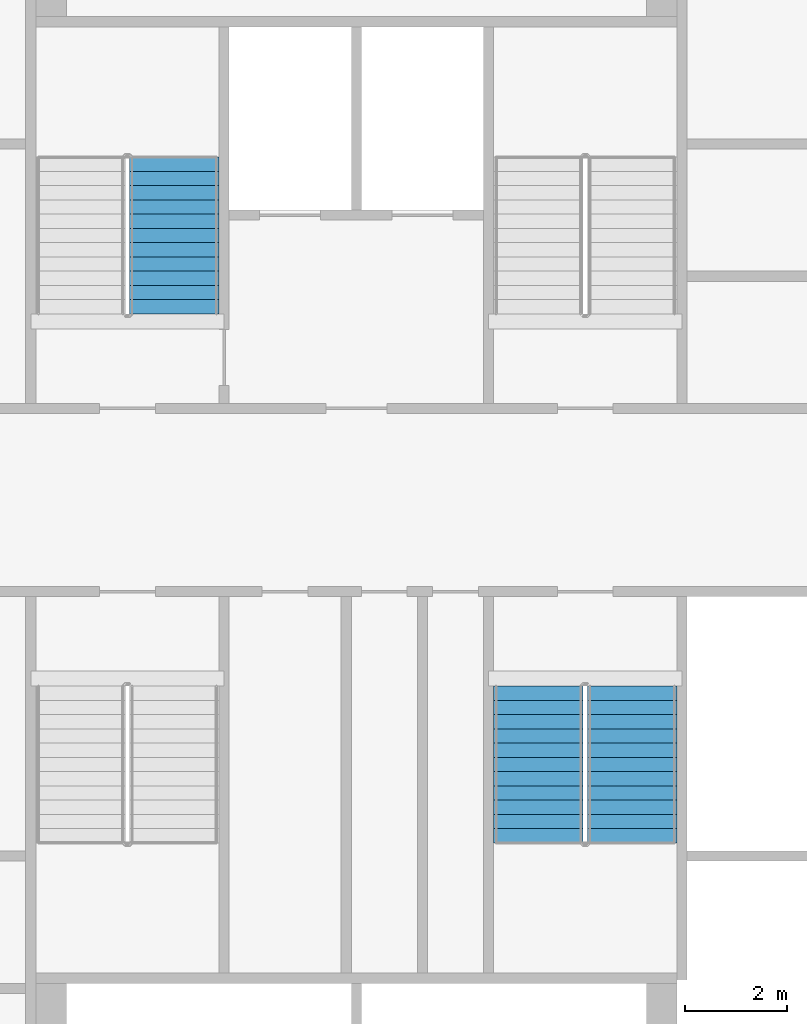
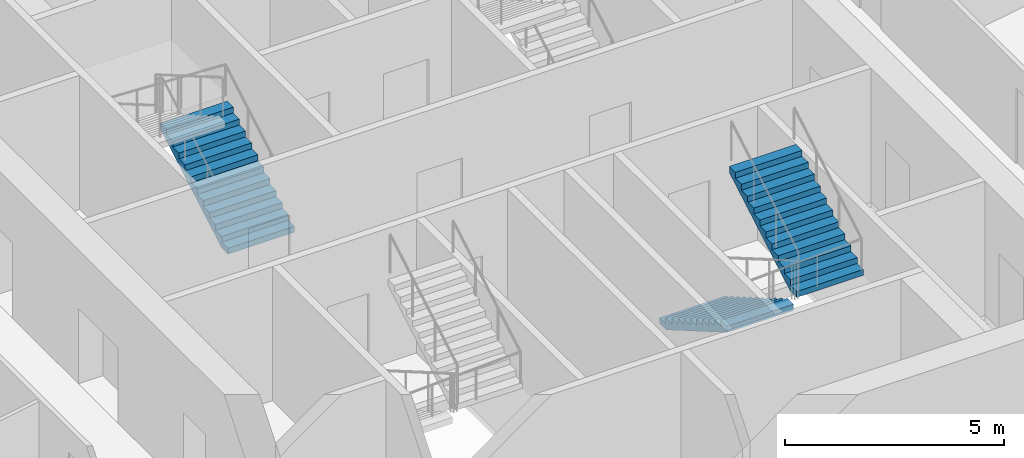
# One storey, part 9 of 15: 3 stair flights, 2 elements without a shape of their own.
"""IFC4 building model written with IfcOpenShell, lengths in metres."""

from ifc_helpers import new_model, si_unit, direction, frame, origin, place, context, subcontext, project, spatial, faceted_brep, material, type_object, element, aggregate, save


model = new_model("IFC4")

# Units and contexts
model_context = context("Model", 3, precision=1e-05, world=origin(), true_north=direction((0.0, 1.0)))
body_context = subcontext(model_context, "Body", "Model", "MODEL_VIEW")
ifc_project = project(units=[si_unit("LENGTHUNIT", "METRE"), si_unit("AREAUNIT", "SQUARE_METRE"), si_unit("VOLUMEUNIT", "CUBIC_METRE"), si_unit("PLANEANGLEUNIT", "RADIAN"), si_unit("MASSUNIT", "GRAM", prefix="KILO")], contexts=[model_context])

# Site, building, storey
site_placement = place(None, origin())
site = spatial("IfcSite", under=ifc_project, at=site_placement, CompositionType="ELEMENT")
building_placement = place(site_placement, origin())
building = spatial("IfcBuilding", under=site, at=building_placement, Name="Tarsis Ring Headquarters", CompositionType="ELEMENT")
storey_placement = place(building_placement, frame((0.0, 0.0, 174.89990234375)))
storey = spatial("IfcBuildingStorey", under=building, at=storey_placement, Name="L40", CompositionType="ELEMENT", Elevation=174.89990234375)

# Stair, stair flight
ifc_material_1 = material(Name="Core stair 1760")
stair_type = type_object("IfcStairType", Name="Core stair 1760", PredefinedType="HALF_TURN_STAIR", material=ifc_material_1)
stair_1_placement = place(storey_placement, origin())
stair_1 = element("IfcStair", 1, at=stair_1_placement, inside=storey, type_object=stair_type, Name="L40 Firefighting stair", PredefinedType="HALF_TURN_STAIR")
ifc_material_2 = material(Name="Concrete C40/50", Category="concrete")
stair_flight_type = type_object("IfcStairFlightType", Name="Core stair flight 1760", PredefinedType="STRAIGHT", material=ifc_material_2)
stair_flight_1_placement = place(storey_placement, frame((-3.580078125, 3.659912109375, 0.0), z_axis=(0.0, 0.0, 1.0), x_axis=(0.0, 1.0, 0.0)))
stair_flight_1 = element("IfcStairFlight", 2, at=stair_flight_1_placement, type_object=stair_flight_type, Name="Stair ST1 flight 1", NumberOfRisers=12, NumberOfTreads=11, PredefinedType="STRAIGHT", RiserHeight=0.1625, TreadLength=0.28, context=body_context, shape_type="Brep", body=[
    faceted_brep([(0.0, 0.8798828125, 0.0), (0.0, 0.8798828125, 0.16259765625), (0.280029296875, 0.8798828125, 0.16259765625), (0.280029296875, 0.8798828125, 0.324951171875), (0.56005859375, 0.8798828125, 0.324951171875), (0.56005859375, 0.8798828125, 0.487548828125), (0.840087890625, 0.8798828125, 0.487548828125), (0.840087890625, 0.8798828125, 0.64990234375), (1.1201171875, 0.8798828125, 0.64990234375), (1.1201171875, 0.8798828125, 0.8125), (1.39990234375, 0.8798828125, 0.8125), (1.39990234375, 0.8798828125, 0.97509765625), (1.679931640625, 0.8798828125, 0.97509765625), (1.679931640625, 0.8798828125, 1.137451171875), (1.9599609375, 0.8798828125, 1.137451171875), (1.9599609375, 0.8798828125, 1.300048828125), (2.239990234375, 0.8798828125, 1.300048828125), (2.239990234375, 0.8798828125, 1.46240234375), (2.52001953125, 0.8798828125, 1.46240234375), (2.52001953125, 0.8798828125, 1.625), (2.800048828125, 0.8798828125, 1.625), (2.800048828125, 0.8798828125, 1.78759765625), (3.080078125, 0.8798828125, 1.78759765625), (3.080078125, 0.8798828125, 1.6142578125), (0.298583984375, 0.8798828125, 0.0), (0.298583984375, -0.8798828125, 0.0), (3.080078125, -0.8798828125, 1.6142578125), (3.080078125, -0.8798828125, 1.78759765625), (2.800048828125, -0.8798828125, 1.78759765625), (2.800048828125, -0.8798828125, 1.625), (2.52001953125, -0.8798828125, 1.625), (2.52001953125, -0.8798828125, 1.46240234375), (2.239990234375, -0.8798828125, 1.46240234375), (2.239990234375, -0.8798828125, 1.300048828125), (1.9599609375, -0.8798828125, 1.300048828125), (1.9599609375, -0.8798828125, 1.137451171875), (1.679931640625, -0.8798828125, 1.137451171875), (1.679931640625, -0.8798828125, 0.97509765625), (1.39990234375, -0.8798828125, 0.97509765625), (1.39990234375, -0.8798828125, 0.8125), (1.1201171875, -0.8798828125, 0.8125), (1.1201171875, -0.8798828125, 0.64990234375), (0.840087890625, -0.8798828125, 0.64990234375), (0.840087890625, -0.8798828125, 0.487548828125), (0.56005859375, -0.8798828125, 0.487548828125), (0.56005859375, -0.8798828125, 0.324951171875), (0.280029296875, -0.8798828125, 0.324951171875), (0.280029296875, -0.8798828125, 0.16259765625), (0.0, -0.8798828125, 0.16259765625), (0.0, -0.8798828125, 0.0), (0.0, -0.43994140625, 0.16259765625), (0.0, -0.43994140625, 0.0), (0.0, 0.0, 0.16259765625), (0.0, 0.0, 0.0), (0.0, 0.43994140625, 0.16259765625), (0.0, 0.43994140625, 0.0), (0.280029296875, -0.43994140625, 0.16259765625), (0.280029296875, 0.0, 0.16259765625), (0.280029296875, 0.43994140625, 0.16259765625), (0.280029296875, -0.43994140625, 0.324951171875), (0.280029296875, 0.0, 0.324951171875), (0.280029296875, 0.43994140625, 0.324951171875), (0.56005859375, -0.43994140625, 0.324951171875), (0.56005859375, 0.0, 0.324951171875), (0.56005859375, 0.43994140625, 0.324951171875), (0.56005859375, -0.43994140625, 0.487548828125), (0.56005859375, 0.0, 0.487548828125), (0.56005859375, 0.43994140625, 0.487548828125), (0.840087890625, -0.43994140625, 0.487548828125), (0.840087890625, 0.0, 0.487548828125), (0.840087890625, 0.43994140625, 0.487548828125), (0.840087890625, -0.43994140625, 0.64990234375), (0.840087890625, 0.0, 0.64990234375), (0.840087890625, 0.43994140625, 0.64990234375), (1.1201171875, -0.43994140625, 0.64990234375), (1.1201171875, 0.0, 0.64990234375), (1.1201171875, 0.43994140625, 0.64990234375), (1.1201171875, -0.43994140625, 0.8125), (1.1201171875, 0.0, 0.8125), (1.1201171875, 0.43994140625, 0.8125), (1.39990234375, -0.43994140625, 0.8125), (1.39990234375, 0.0, 0.8125), (1.39990234375, 0.43994140625, 0.8125), (1.39990234375, -0.43994140625, 0.97509765625), (1.39990234375, 0.0, 0.97509765625), (1.39990234375, 0.43994140625, 0.97509765625), (1.679931640625, -0.43994140625, 0.97509765625), (1.679931640625, 0.0, 0.97509765625), (1.679931640625, 0.43994140625, 0.97509765625), (1.679931640625, -0.43994140625, 1.137451171875), (1.679931640625, 0.0, 1.137451171875), (1.679931640625, 0.43994140625, 1.137451171875), (1.9599609375, -0.43994140625, 1.137451171875), (1.9599609375, 0.0, 1.137451171875), (1.9599609375, 0.43994140625, 1.137451171875), (1.9599609375, -0.43994140625, 1.300048828125), (1.9599609375, 0.0, 1.300048828125), (1.9599609375, 0.43994140625, 1.300048828125), (2.239990234375, -0.43994140625, 1.300048828125), (2.239990234375, 0.0, 1.300048828125), (2.239990234375, 0.43994140625, 1.300048828125), (2.239990234375, -0.43994140625, 1.46240234375), (2.239990234375, 0.0, 1.46240234375), (2.239990234375, 0.43994140625, 1.46240234375), (2.52001953125, -0.43994140625, 1.46240234375), (2.52001953125, 0.0, 1.46240234375), (2.52001953125, 0.43994140625, 1.46240234375), (2.52001953125, -0.43994140625, 1.625), (2.52001953125, 0.0, 1.625), (2.52001953125, 0.43994140625, 1.625), (2.800048828125, -0.43994140625, 1.625), (2.800048828125, 0.0, 1.625), (2.800048828125, 0.43994140625, 1.625), (2.800048828125, -0.43994140625, 1.78759765625), (2.800048828125, 0.0, 1.78759765625), (2.800048828125, 0.43994140625, 1.78759765625), (3.080078125, -0.43994140625, 1.78759765625), (3.080078125, 0.0, 1.78759765625), (3.080078125, 0.43994140625, 1.78759765625), (3.080078125, -0.43994140625, 1.6142578125), (3.080078125, 0.0, 1.6142578125), (3.080078125, 0.43994140625, 1.6142578125), (0.298583984375, -0.43994140625, 0.0), (0.298583984375, 0.0, 0.0), (0.298583984375, 0.43994140625, 0.0)], [[[0, 1, 2, 3, 4, 5, 6, 7, 8, 9, 10, 11, 12, 13, 14, 15, 16, 17, 18, 19, 20, 21, 22, 23, 24]], [[25, 26, 27, 28, 29, 30, 31, 32, 33, 34, 35, 36, 37, 38, 39, 40, 41, 42, 43, 44, 45, 46, 47, 48, 49]], [[49, 48, 50, 51]], [[51, 50, 52, 53]], [[53, 52, 54, 55]], [[55, 54, 1, 0]], [[48, 47, 56, 50]], [[50, 56, 57, 52]], [[52, 57, 58, 54]], [[54, 58, 2, 1]], [[47, 46, 59, 56]], [[56, 59, 60, 57]], [[57, 60, 61, 58]], [[58, 61, 3, 2]], [[46, 45, 62, 59]], [[59, 62, 63, 60]], [[60, 63, 64, 61]], [[61, 64, 4, 3]], [[45, 44, 65, 62]], [[62, 65, 66, 63]], [[63, 66, 67, 64]], [[64, 67, 5, 4]], [[44, 43, 68, 65]], [[65, 68, 69, 66]], [[66, 69, 70, 67]], [[67, 70, 6, 5]], [[43, 42, 71, 68]], [[68, 71, 72, 69]], [[69, 72, 73, 70]], [[70, 73, 7, 6]], [[42, 41, 74, 71]], [[71, 74, 75, 72]], [[72, 75, 76, 73]], [[73, 76, 8, 7]], [[41, 40, 77, 74]], [[74, 77, 78, 75]], [[75, 78, 79, 76]], [[76, 79, 9, 8]], [[40, 39, 80, 77]], [[77, 80, 81, 78]], [[78, 81, 82, 79]], [[79, 82, 10, 9]], [[39, 38, 83, 80]], [[80, 83, 84, 81]], [[81, 84, 85, 82]], [[82, 85, 11, 10]], [[38, 37, 86, 83]], [[83, 86, 87, 84]], [[84, 87, 88, 85]], [[85, 88, 12, 11]], [[37, 36, 89, 86]], [[86, 89, 90, 87]], [[87, 90, 91, 88]], [[88, 91, 13, 12]], [[36, 35, 92, 89]], [[89, 92, 93, 90]], [[90, 93, 94, 91]], [[91, 94, 14, 13]], [[35, 34, 95, 92]], [[92, 95, 96, 93]], [[93, 96, 97, 94]], [[94, 97, 15, 14]], [[34, 33, 98, 95]], [[95, 98, 99, 96]], [[96, 99, 100, 97]], [[97, 100, 16, 15]], [[33, 32, 101, 98]], [[98, 101, 102, 99]], [[99, 102, 103, 100]], [[100, 103, 17, 16]], [[32, 31, 104, 101]], [[101, 104, 105, 102]], [[102, 105, 106, 103]], [[103, 106, 18, 17]], [[31, 30, 107, 104]], [[104, 107, 108, 105]], [[105, 108, 109, 106]], [[106, 109, 19, 18]], [[30, 29, 110, 107]], [[107, 110, 111, 108]], [[108, 111, 112, 109]], [[109, 112, 20, 19]], [[29, 28, 113, 110]], [[110, 113, 114, 111]], [[111, 114, 115, 112]], [[112, 115, 21, 20]], [[28, 27, 116, 113]], [[113, 116, 117, 114]], [[114, 117, 118, 115]], [[115, 118, 22, 21]], [[27, 26, 119, 116]], [[116, 119, 120, 117]], [[117, 120, 121, 118]], [[118, 121, 23, 22]], [[26, 25, 122, 119]], [[119, 122, 123, 120]], [[120, 123, 124, 121]], [[121, 124, 24, 23]], [[25, 49, 51, 122]], [[122, 51, 53, 123]], [[123, 53, 55, 124]], [[124, 55, 0, 24]]]),
])
aggregate(stair_1, [stair_flight_1])

# Stair, stair flights
stair_2_placement = place(storey_placement, origin())
stair_2 = element("IfcStair", 3, at=stair_2_placement, inside=storey, type_object=stair_type, Name="L40 Exit stair D", PredefinedType="HALF_TURN_STAIR")
stair_flight_2_placement = place(storey_placement, frame((3.580078125, -3.659912109375, 0.0), z_axis=(0.0, 0.0, 1.0), x_axis=(0.0, -1.0, 0.0)))
stair_flight_2 = element("IfcStairFlight", 4, at=stair_flight_2_placement, type_object=stair_flight_type, Name="Stair ST4 flight 1", NumberOfRisers=12, NumberOfTreads=11, PredefinedType="STRAIGHT", RiserHeight=0.1625, TreadLength=0.28, context=body_context, shape_type="Brep", body=[
    faceted_brep([(0.0, 0.8798828125, 0.0), (0.0, 0.8798828125, 0.16259765625), (0.280029296875, 0.8798828125, 0.16259765625), (0.280029296875, 0.8798828125, 0.324951171875), (0.56005859375, 0.8798828125, 0.324951171875), (0.56005859375, 0.8798828125, 0.487548828125), (0.840087890625, 0.8798828125, 0.487548828125), (0.840087890625, 0.8798828125, 0.64990234375), (1.1201171875, 0.8798828125, 0.64990234375), (1.1201171875, 0.8798828125, 0.8125), (1.39990234375, 0.8798828125, 0.8125), (1.39990234375, 0.8798828125, 0.97509765625), (1.679931640625, 0.8798828125, 0.97509765625), (1.679931640625, 0.8798828125, 1.137451171875), (1.9599609375, 0.8798828125, 1.137451171875), (1.9599609375, 0.8798828125, 1.300048828125), (2.239990234375, 0.8798828125, 1.300048828125), (2.239990234375, 0.8798828125, 1.46240234375), (2.52001953125, 0.8798828125, 1.46240234375), (2.52001953125, 0.8798828125, 1.625), (2.800048828125, 0.8798828125, 1.625), (2.800048828125, 0.8798828125, 1.78759765625), (3.080078125, 0.8798828125, 1.78759765625), (3.080078125, 0.8798828125, 1.6142578125), (0.298583984375, 0.8798828125, 0.0), (0.298583984375, -0.8798828125, 0.0), (3.080078125, -0.8798828125, 1.6142578125), (3.080078125, -0.8798828125, 1.78759765625), (2.800048828125, -0.8798828125, 1.78759765625), (2.800048828125, -0.8798828125, 1.625), (2.52001953125, -0.8798828125, 1.625), (2.52001953125, -0.8798828125, 1.46240234375), (2.239990234375, -0.8798828125, 1.46240234375), (2.239990234375, -0.8798828125, 1.300048828125), (1.9599609375, -0.8798828125, 1.300048828125), (1.9599609375, -0.8798828125, 1.137451171875), (1.679931640625, -0.8798828125, 1.137451171875), (1.679931640625, -0.8798828125, 0.97509765625), (1.39990234375, -0.8798828125, 0.97509765625), (1.39990234375, -0.8798828125, 0.8125), (1.1201171875, -0.8798828125, 0.8125), (1.1201171875, -0.8798828125, 0.64990234375), (0.840087890625, -0.8798828125, 0.64990234375), (0.840087890625, -0.8798828125, 0.487548828125), (0.56005859375, -0.8798828125, 0.487548828125), (0.56005859375, -0.8798828125, 0.324951171875), (0.280029296875, -0.8798828125, 0.324951171875), (0.280029296875, -0.8798828125, 0.16259765625), (0.0, -0.8798828125, 0.16259765625), (0.0, -0.8798828125, 0.0), (0.0, -0.43994140625, 0.16259765625), (0.0, -0.43994140625, 0.0), (0.0, 0.0, 0.16259765625), (0.0, 0.0, 0.0), (0.0, 0.43994140625, 0.16259765625), (0.0, 0.43994140625, 0.0), (0.280029296875, -0.43994140625, 0.16259765625), (0.280029296875, 0.0, 0.16259765625), (0.280029296875, 0.43994140625, 0.16259765625), (0.280029296875, -0.43994140625, 0.324951171875), (0.280029296875, 0.0, 0.324951171875), (0.280029296875, 0.43994140625, 0.324951171875), (0.56005859375, -0.43994140625, 0.324951171875), (0.56005859375, 0.0, 0.324951171875), (0.56005859375, 0.43994140625, 0.324951171875), (0.56005859375, -0.43994140625, 0.487548828125), (0.56005859375, 0.0, 0.487548828125), (0.56005859375, 0.43994140625, 0.487548828125), (0.840087890625, -0.43994140625, 0.487548828125), (0.840087890625, 0.0, 0.487548828125), (0.840087890625, 0.43994140625, 0.487548828125), (0.840087890625, -0.43994140625, 0.64990234375), (0.840087890625, 0.0, 0.64990234375), (0.840087890625, 0.43994140625, 0.64990234375), (1.1201171875, -0.43994140625, 0.64990234375), (1.1201171875, 0.0, 0.64990234375), (1.1201171875, 0.43994140625, 0.64990234375), (1.1201171875, -0.43994140625, 0.8125), (1.1201171875, 0.0, 0.8125), (1.1201171875, 0.43994140625, 0.8125), (1.39990234375, -0.43994140625, 0.8125), (1.39990234375, 0.0, 0.8125), (1.39990234375, 0.43994140625, 0.8125), (1.39990234375, -0.43994140625, 0.97509765625), (1.39990234375, 0.0, 0.97509765625), (1.39990234375, 0.43994140625, 0.97509765625), (1.679931640625, -0.43994140625, 0.97509765625), (1.679931640625, 0.0, 0.97509765625), (1.679931640625, 0.43994140625, 0.97509765625), (1.679931640625, -0.43994140625, 1.137451171875), (1.679931640625, 0.0, 1.137451171875), (1.679931640625, 0.43994140625, 1.137451171875), (1.9599609375, -0.43994140625, 1.137451171875), (1.9599609375, 0.0, 1.137451171875), (1.9599609375, 0.43994140625, 1.137451171875), (1.9599609375, -0.43994140625, 1.300048828125), (1.9599609375, 0.0, 1.300048828125), (1.9599609375, 0.43994140625, 1.300048828125), (2.239990234375, -0.43994140625, 1.300048828125), (2.239990234375, 0.0, 1.300048828125), (2.239990234375, 0.43994140625, 1.300048828125), (2.239990234375, -0.43994140625, 1.46240234375), (2.239990234375, 0.0, 1.46240234375), (2.239990234375, 0.43994140625, 1.46240234375), (2.52001953125, -0.43994140625, 1.46240234375), (2.52001953125, 0.0, 1.46240234375), (2.52001953125, 0.43994140625, 1.46240234375), (2.52001953125, -0.43994140625, 1.625), (2.52001953125, 0.0, 1.625), (2.52001953125, 0.43994140625, 1.625), (2.800048828125, -0.43994140625, 1.625), (2.800048828125, 0.0, 1.625), (2.800048828125, 0.43994140625, 1.625), (2.800048828125, -0.43994140625, 1.78759765625), (2.800048828125, 0.0, 1.78759765625), (2.800048828125, 0.43994140625, 1.78759765625), (3.080078125, -0.43994140625, 1.78759765625), (3.080078125, 0.0, 1.78759765625), (3.080078125, 0.43994140625, 1.78759765625), (3.080078125, -0.43994140625, 1.6142578125), (3.080078125, 0.0, 1.6142578125), (3.080078125, 0.43994140625, 1.6142578125), (0.298583984375, -0.43994140625, 0.0), (0.298583984375, 0.0, 0.0), (0.298583984375, 0.43994140625, 0.0)], [[[0, 1, 2, 3, 4, 5, 6, 7, 8, 9, 10, 11, 12, 13, 14, 15, 16, 17, 18, 19, 20, 21, 22, 23, 24]], [[25, 26, 27, 28, 29, 30, 31, 32, 33, 34, 35, 36, 37, 38, 39, 40, 41, 42, 43, 44, 45, 46, 47, 48, 49]], [[49, 48, 50, 51]], [[51, 50, 52, 53]], [[53, 52, 54, 55]], [[55, 54, 1, 0]], [[48, 47, 56, 50]], [[50, 56, 57, 52]], [[52, 57, 58, 54]], [[54, 58, 2, 1]], [[47, 46, 59, 56]], [[56, 59, 60, 57]], [[57, 60, 61, 58]], [[58, 61, 3, 2]], [[46, 45, 62, 59]], [[59, 62, 63, 60]], [[60, 63, 64, 61]], [[61, 64, 4, 3]], [[45, 44, 65, 62]], [[62, 65, 66, 63]], [[63, 66, 67, 64]], [[64, 67, 5, 4]], [[44, 43, 68, 65]], [[65, 68, 69, 66]], [[66, 69, 70, 67]], [[67, 70, 6, 5]], [[43, 42, 71, 68]], [[68, 71, 72, 69]], [[69, 72, 73, 70]], [[70, 73, 7, 6]], [[42, 41, 74, 71]], [[71, 74, 75, 72]], [[72, 75, 76, 73]], [[73, 76, 8, 7]], [[41, 40, 77, 74]], [[74, 77, 78, 75]], [[75, 78, 79, 76]], [[76, 79, 9, 8]], [[40, 39, 80, 77]], [[77, 80, 81, 78]], [[78, 81, 82, 79]], [[79, 82, 10, 9]], [[39, 38, 83, 80]], [[80, 83, 84, 81]], [[81, 84, 85, 82]], [[82, 85, 11, 10]], [[38, 37, 86, 83]], [[83, 86, 87, 84]], [[84, 87, 88, 85]], [[85, 88, 12, 11]], [[37, 36, 89, 86]], [[86, 89, 90, 87]], [[87, 90, 91, 88]], [[88, 91, 13, 12]], [[36, 35, 92, 89]], [[89, 92, 93, 90]], [[90, 93, 94, 91]], [[91, 94, 14, 13]], [[35, 34, 95, 92]], [[92, 95, 96, 93]], [[93, 96, 97, 94]], [[94, 97, 15, 14]], [[34, 33, 98, 95]], [[95, 98, 99, 96]], [[96, 99, 100, 97]], [[97, 100, 16, 15]], [[33, 32, 101, 98]], [[98, 101, 102, 99]], [[99, 102, 103, 100]], [[100, 103, 17, 16]], [[32, 31, 104, 101]], [[101, 104, 105, 102]], [[102, 105, 106, 103]], [[103, 106, 18, 17]], [[31, 30, 107, 104]], [[104, 107, 108, 105]], [[105, 108, 109, 106]], [[106, 109, 19, 18]], [[30, 29, 110, 107]], [[107, 110, 111, 108]], [[108, 111, 112, 109]], [[109, 112, 20, 19]], [[29, 28, 113, 110]], [[110, 113, 114, 111]], [[111, 114, 115, 112]], [[112, 115, 21, 20]], [[28, 27, 116, 113]], [[113, 116, 117, 114]], [[114, 117, 118, 115]], [[115, 118, 22, 21]], [[27, 26, 119, 116]], [[116, 119, 120, 117]], [[117, 120, 121, 118]], [[118, 121, 23, 22]], [[26, 25, 122, 119]], [[119, 122, 123, 120]], [[120, 123, 124, 121]], [[121, 124, 24, 23]], [[25, 49, 51, 122]], [[122, 51, 53, 123]], [[123, 53, 55, 124]], [[124, 55, 0, 24]]]),
])
stair_flight_3_placement = place(storey_placement, frame((5.419921875, -6.739990234375, 1.9501953125), z_axis=(0.0, 0.0, 1.0), x_axis=(0.0, 1.0, 0.0)))
stair_flight_3 = element("IfcStairFlight", 5, at=stair_flight_3_placement, type_object=stair_flight_type, Name="Stair ST4 flight 2", NumberOfRisers=12, NumberOfTreads=11, PredefinedType="STRAIGHT", RiserHeight=0.1625, TreadLength=0.28, context=body_context, shape_type="Brep", body=[
    faceted_brep([(0.0, 0.8798828125, 0.0), (0.0, 0.8798828125, 0.16259765625), (0.280029296875, 0.8798828125, 0.16259765625), (0.280029296875, 0.8798828125, 0.324951171875), (0.56005859375, 0.8798828125, 0.324951171875), (0.56005859375, 0.8798828125, 0.487548828125), (0.840087890625, 0.8798828125, 0.487548828125), (0.840087890625, 0.8798828125, 0.64990234375), (1.1201171875, 0.8798828125, 0.64990234375), (1.1201171875, 0.8798828125, 0.8125), (1.39990234375, 0.8798828125, 0.8125), (1.39990234375, 0.8798828125, 0.97509765625), (1.679931640625, 0.8798828125, 0.97509765625), (1.679931640625, 0.8798828125, 1.137451171875), (1.9599609375, 0.8798828125, 1.137451171875), (1.9599609375, 0.8798828125, 1.300048828125), (2.239990234375, 0.8798828125, 1.300048828125), (2.239990234375, 0.8798828125, 1.46240234375), (2.52001953125, 0.8798828125, 1.46240234375), (2.52001953125, 0.8798828125, 1.625), (2.800048828125, 0.8798828125, 1.625), (2.800048828125, 0.8798828125, 1.78759765625), (3.080078125, 0.8798828125, 1.78759765625), (3.080078125, 0.8798828125, 1.6142578125), (0.298583984375, 0.8798828125, 0.0), (0.298583984375, -0.8798828125, 0.0), (3.080078125, -0.8798828125, 1.6142578125), (3.080078125, -0.8798828125, 1.78759765625), (2.800048828125, -0.8798828125, 1.78759765625), (2.800048828125, -0.8798828125, 1.625), (2.52001953125, -0.8798828125, 1.625), (2.52001953125, -0.8798828125, 1.46240234375), (2.239990234375, -0.8798828125, 1.46240234375), (2.239990234375, -0.8798828125, 1.300048828125), (1.9599609375, -0.8798828125, 1.300048828125), (1.9599609375, -0.8798828125, 1.137451171875), (1.679931640625, -0.8798828125, 1.137451171875), (1.679931640625, -0.8798828125, 0.97509765625), (1.39990234375, -0.8798828125, 0.97509765625), (1.39990234375, -0.8798828125, 0.8125), (1.1201171875, -0.8798828125, 0.8125), (1.1201171875, -0.8798828125, 0.64990234375), (0.840087890625, -0.8798828125, 0.64990234375), (0.840087890625, -0.8798828125, 0.487548828125), (0.56005859375, -0.8798828125, 0.487548828125), (0.56005859375, -0.8798828125, 0.324951171875), (0.280029296875, -0.8798828125, 0.324951171875), (0.280029296875, -0.8798828125, 0.16259765625), (0.0, -0.8798828125, 0.16259765625), (0.0, -0.8798828125, 0.0), (0.0, -0.43994140625, 0.16259765625), (0.0, -0.43994140625, 0.0), (0.0, 0.0, 0.16259765625), (0.0, 0.0, 0.0), (0.0, 0.43994140625, 0.16259765625), (0.0, 0.43994140625, 0.0), (0.280029296875, -0.43994140625, 0.16259765625), (0.280029296875, 0.0, 0.16259765625), (0.280029296875, 0.43994140625, 0.16259765625), (0.280029296875, -0.43994140625, 0.324951171875), (0.280029296875, 0.0, 0.324951171875), (0.280029296875, 0.43994140625, 0.324951171875), (0.56005859375, -0.43994140625, 0.324951171875), (0.56005859375, 0.0, 0.324951171875), (0.56005859375, 0.43994140625, 0.324951171875), (0.56005859375, -0.43994140625, 0.487548828125), (0.56005859375, 0.0, 0.487548828125), (0.56005859375, 0.43994140625, 0.487548828125), (0.840087890625, -0.43994140625, 0.487548828125), (0.840087890625, 0.0, 0.487548828125), (0.840087890625, 0.43994140625, 0.487548828125), (0.840087890625, -0.43994140625, 0.64990234375), (0.840087890625, 0.0, 0.64990234375), (0.840087890625, 0.43994140625, 0.64990234375), (1.1201171875, -0.43994140625, 0.64990234375), (1.1201171875, 0.0, 0.64990234375), (1.1201171875, 0.43994140625, 0.64990234375), (1.1201171875, -0.43994140625, 0.8125), (1.1201171875, 0.0, 0.8125), (1.1201171875, 0.43994140625, 0.8125), (1.39990234375, -0.43994140625, 0.8125), (1.39990234375, 0.0, 0.8125), (1.39990234375, 0.43994140625, 0.8125), (1.39990234375, -0.43994140625, 0.97509765625), (1.39990234375, 0.0, 0.97509765625), (1.39990234375, 0.43994140625, 0.97509765625), (1.679931640625, -0.43994140625, 0.97509765625), (1.679931640625, 0.0, 0.97509765625), (1.679931640625, 0.43994140625, 0.97509765625), (1.679931640625, -0.43994140625, 1.137451171875), (1.679931640625, 0.0, 1.137451171875), (1.679931640625, 0.43994140625, 1.137451171875), (1.9599609375, -0.43994140625, 1.137451171875), (1.9599609375, 0.0, 1.137451171875), (1.9599609375, 0.43994140625, 1.137451171875), (1.9599609375, -0.43994140625, 1.300048828125), (1.9599609375, 0.0, 1.300048828125), (1.9599609375, 0.43994140625, 1.300048828125), (2.239990234375, -0.43994140625, 1.300048828125), (2.239990234375, 0.0, 1.300048828125), (2.239990234375, 0.43994140625, 1.300048828125), (2.239990234375, -0.43994140625, 1.46240234375), (2.239990234375, 0.0, 1.46240234375), (2.239990234375, 0.43994140625, 1.46240234375), (2.52001953125, -0.43994140625, 1.46240234375), (2.52001953125, 0.0, 1.46240234375), (2.52001953125, 0.43994140625, 1.46240234375), (2.52001953125, -0.43994140625, 1.625), (2.52001953125, 0.0, 1.625), (2.52001953125, 0.43994140625, 1.625), (2.800048828125, -0.43994140625, 1.625), (2.800048828125, 0.0, 1.625), (2.800048828125, 0.43994140625, 1.625), (2.800048828125, -0.43994140625, 1.78759765625), (2.800048828125, 0.0, 1.78759765625), (2.800048828125, 0.43994140625, 1.78759765625), (3.080078125, -0.43994140625, 1.78759765625), (3.080078125, 0.0, 1.78759765625), (3.080078125, 0.43994140625, 1.78759765625), (3.080078125, -0.43994140625, 1.6142578125), (3.080078125, 0.0, 1.6142578125), (3.080078125, 0.43994140625, 1.6142578125), (0.298583984375, -0.43994140625, 0.0), (0.298583984375, 0.0, 0.0), (0.298583984375, 0.43994140625, 0.0)], [[[0, 1, 2, 3, 4, 5, 6, 7, 8, 9, 10, 11, 12, 13, 14, 15, 16, 17, 18, 19, 20, 21, 22, 23, 24]], [[25, 26, 27, 28, 29, 30, 31, 32, 33, 34, 35, 36, 37, 38, 39, 40, 41, 42, 43, 44, 45, 46, 47, 48, 49]], [[49, 48, 50, 51]], [[51, 50, 52, 53]], [[53, 52, 54, 55]], [[55, 54, 1, 0]], [[48, 47, 56, 50]], [[50, 56, 57, 52]], [[52, 57, 58, 54]], [[54, 58, 2, 1]], [[47, 46, 59, 56]], [[56, 59, 60, 57]], [[57, 60, 61, 58]], [[58, 61, 3, 2]], [[46, 45, 62, 59]], [[59, 62, 63, 60]], [[60, 63, 64, 61]], [[61, 64, 4, 3]], [[45, 44, 65, 62]], [[62, 65, 66, 63]], [[63, 66, 67, 64]], [[64, 67, 5, 4]], [[44, 43, 68, 65]], [[65, 68, 69, 66]], [[66, 69, 70, 67]], [[67, 70, 6, 5]], [[43, 42, 71, 68]], [[68, 71, 72, 69]], [[69, 72, 73, 70]], [[70, 73, 7, 6]], [[42, 41, 74, 71]], [[71, 74, 75, 72]], [[72, 75, 76, 73]], [[73, 76, 8, 7]], [[41, 40, 77, 74]], [[74, 77, 78, 75]], [[75, 78, 79, 76]], [[76, 79, 9, 8]], [[40, 39, 80, 77]], [[77, 80, 81, 78]], [[78, 81, 82, 79]], [[79, 82, 10, 9]], [[39, 38, 83, 80]], [[80, 83, 84, 81]], [[81, 84, 85, 82]], [[82, 85, 11, 10]], [[38, 37, 86, 83]], [[83, 86, 87, 84]], [[84, 87, 88, 85]], [[85, 88, 12, 11]], [[37, 36, 89, 86]], [[86, 89, 90, 87]], [[87, 90, 91, 88]], [[88, 91, 13, 12]], [[36, 35, 92, 89]], [[89, 92, 93, 90]], [[90, 93, 94, 91]], [[91, 94, 14, 13]], [[35, 34, 95, 92]], [[92, 95, 96, 93]], [[93, 96, 97, 94]], [[94, 97, 15, 14]], [[34, 33, 98, 95]], [[95, 98, 99, 96]], [[96, 99, 100, 97]], [[97, 100, 16, 15]], [[33, 32, 101, 98]], [[98, 101, 102, 99]], [[99, 102, 103, 100]], [[100, 103, 17, 16]], [[32, 31, 104, 101]], [[101, 104, 105, 102]], [[102, 105, 106, 103]], [[103, 106, 18, 17]], [[31, 30, 107, 104]], [[104, 107, 108, 105]], [[105, 108, 109, 106]], [[106, 109, 19, 18]], [[30, 29, 110, 107]], [[107, 110, 111, 108]], [[108, 111, 112, 109]], [[109, 112, 20, 19]], [[29, 28, 113, 110]], [[110, 113, 114, 111]], [[111, 114, 115, 112]], [[112, 115, 21, 20]], [[28, 27, 116, 113]], [[113, 116, 117, 114]], [[114, 117, 118, 115]], [[115, 118, 22, 21]], [[27, 26, 119, 116]], [[116, 119, 120, 117]], [[117, 120, 121, 118]], [[118, 121, 23, 22]], [[26, 25, 122, 119]], [[119, 122, 123, 120]], [[120, 123, 124, 121]], [[121, 124, 24, 23]], [[25, 49, 51, 122]], [[122, 51, 53, 123]], [[123, 53, 55, 124]], [[124, 55, 0, 24]]]),
])
aggregate(stair_2, [stair_flight_2, stair_flight_3])

save(model, "model.ifc")
